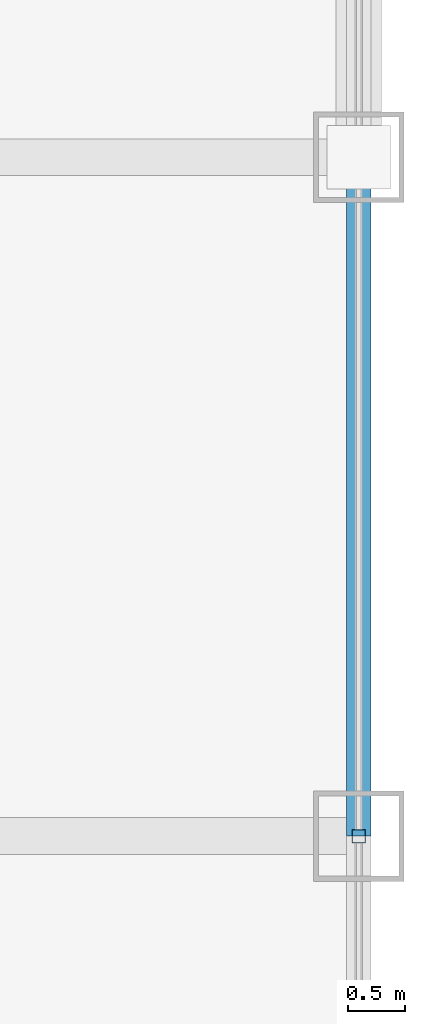
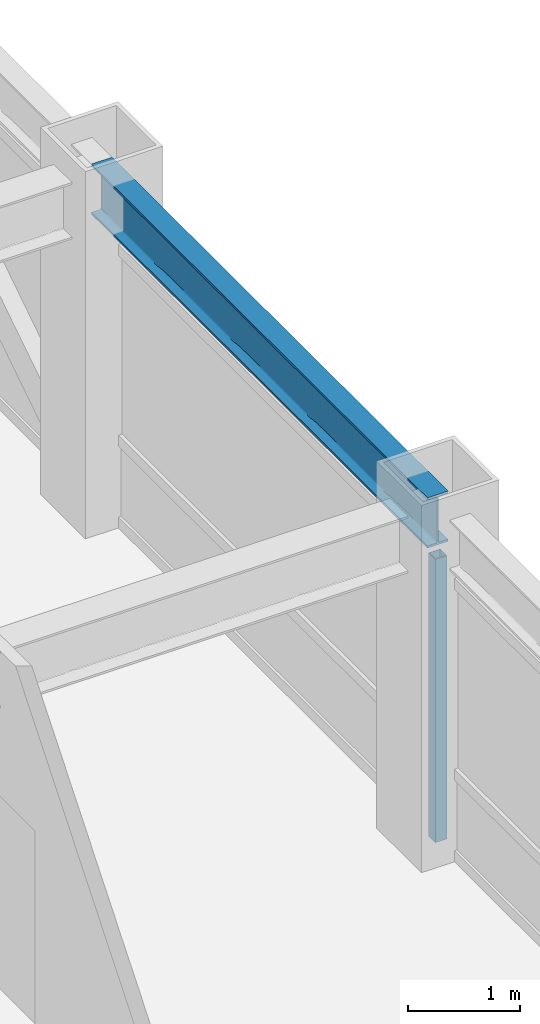
# One storey, part 12 of 28: 1 beam, 1 member, 1 element without a shape of its own.
"""IFC4 building model written with IfcOpenShell, lengths in metres."""

import ifcopenshell
import ifcopenshell.guid

model = None  # the IFC model being written
_history = None  # IfcOwnerHistory: only IFC2X3 demands one
_inside = {}  # id of a spatial element -> (the spatial element, [elements in it])
_under = {}  # id of a project, library or spatial element -> (it, [spatial elements below it])
_declared = {}  # id of a project -> (the project, [libraries it declares])
_typed = {}  # id of a type object -> (the type object, [elements of that type])
_made_of = {}  # id of a material, layer set ... -> (it, [elements and type objects made of it])


def new_model(schema):
    """Start an empty IFC model of exactly this schema.

    Asked for "IFC4X3", IfcOpenShell would pick the latest addendum, in which some entities
    have other attributes; the version numbers below select the first issue.
    IFC2X3 requires an IfcOwnerHistory on every rooted entity: one is made here for all.
    """
    global model, _history
    if schema == "IFC4X3":
        model = ifcopenshell.file(schema_version=(4, 3, 0, 0))
    else:
        model = ifcopenshell.file(schema=schema)
    _inside.clear()
    _under.clear()
    _declared.clear()
    _typed.clear()
    _made_of.clear()
    _history = None
    if model.schema == "IFC2X3":
        org = make("IfcOrganization", Name="unknown")
        user = make(
            "IfcPersonAndOrganization",
            ThePerson=make("IfcPerson", FamilyName="unknown"),
            TheOrganization=org,
        )
        app = make(
            "IfcApplication",
            ApplicationDeveloper=org,
            Version="unknown",
            ApplicationFullName="unknown",
            ApplicationIdentifier="unknown",
        )
        _history = make(
            "IfcOwnerHistory",
            OwningUser=user,
            OwningApplication=app,
            ChangeAction="ADDED",
            CreationDate=0,
        )
    return model


def make(cls, **values):
    """One entity of the class cls with the attributes given. An attribute that is None is left unset."""
    return model.create_entity(
        cls, **{name: value for name, value in values.items() if value is not None}
    )


def rooted(cls, **values):
    """An entity with a GlobalId (a new one), such as an element, a storey or a relation."""
    return make(cls, GlobalId=ifcopenshell.guid.new(), OwnerHistory=_history, **values)


def si_unit(unit_type, name, prefix=None):
    """IfcSIUnit, for example si_unit("LENGTHUNIT", "METRE", prefix="MILLI")."""
    return make("IfcSIUnit", UnitType=unit_type, Prefix=prefix, Name=name)


def assignment(units):
    """IfcUnitAssignment: the units of a project."""
    return None if units is None else make("IfcUnitAssignment", Units=units)


def point(xyz):
    """IfcCartesianPoint."""
    return None if xyz is None else make("IfcCartesianPoint", Coordinates=xyz)


def direction(xyz):
    """IfcDirection."""
    return None if xyz is None else make("IfcDirection", DirectionRatios=xyz)


def frame(location, z_axis=None, x_axis=None):
    """IfcAxis2Placement3D, a coordinate frame: its origin and axes. An axis left out is left unset."""
    return make(
        "IfcAxis2Placement3D",
        Location=point(location),
        Axis=direction(z_axis),
        RefDirection=direction(x_axis),
    )


def frame_2d(location, x_axis=None):
    """IfcAxis2Placement2D, a coordinate frame in the plane: its origin and x axis."""
    return make(
        "IfcAxis2Placement2D", Location=point(location), RefDirection=direction(x_axis)
    )


def origin():
    """The frame at (0, 0, 0) with its axes left unset."""
    return frame((0.0, 0.0, 0.0))


def origin_2d():
    """The frame at (0, 0) in the plane with its x axis left unset."""
    return frame_2d((0.0, 0.0))


def place(relative_to, where):
    """IfcLocalPlacement: puts the frame where relative to a parent placement (None: the world)."""
    return make(
        "IfcLocalPlacement", PlacementRelTo=relative_to, RelativePlacement=where
    )


def context(
    kind, dimensions, precision=None, world=None, true_north=None, identifier=None
):
    """IfcGeometricRepresentationContext, for example the 3D "Model" context."""
    return make(
        "IfcGeometricRepresentationContext",
        ContextIdentifier=identifier,
        ContextType=kind,
        CoordinateSpaceDimension=dimensions,
        Precision=precision,
        WorldCoordinateSystem=world,
        TrueNorth=true_north,
    )


def subcontext(parent, identifier, kind, view, scale=None):
    """IfcGeometricRepresentationSubContext, for example "Body" below "Model"."""
    return make(
        "IfcGeometricRepresentationSubContext",
        ContextIdentifier=identifier,
        ContextType=kind,
        ParentContext=parent,
        TargetScale=scale,
        TargetView=view,
    )


def project(units=None, contexts=None):
    """IfcProject with its units and contexts."""
    return rooted(
        "IfcProject",
        Name="project",
        RepresentationContexts=contexts,
        UnitsInContext=assignment(units),
    )


def spatial(cls, under=None, at=None, **own):
    """A site, building, storey or space (cls), placed at a placement, below another one or the project."""
    s = rooted(cls, ObjectPlacement=at, **own)
    if under is not None:
        _under.setdefault(under.id(), (under, []))[1].append(s)
    return s


def profile(cls, at=None, kind="AREA", **sizes):
    """A parametric profile (cls). Its sizes go by their IFC names, for example OverallWidth=200.0."""
    return make(cls, ProfileType=kind, Position=at, **sizes)


def hollow_rectangle(**sizes):
    """IfcRectangleHollowProfileDef."""
    return profile("IfcRectangleHollowProfileDef", **sizes)


def i_section(**sizes):
    """IfcIShapeProfileDef."""
    return profile("IfcIShapeProfileDef", **sizes)


def extrude(swept, where, along, depth):
    """IfcExtrudedAreaSolid: the profile swept, set in the frame where, extruded along a direction by depth."""
    return make(
        "IfcExtrudedAreaSolid",
        SweptArea=swept,
        Position=where,
        ExtrudedDirection=direction(along),
        Depth=depth,
    )


def shape(context_of_items, identifier, shape_type, items):
    """IfcShapeRepresentation: the items that make up one representation, for example the "Body"."""
    return make(
        "IfcShapeRepresentation",
        ContextOfItems=context_of_items,
        RepresentationIdentifier=identifier,
        RepresentationType=shape_type,
        Items=items,
    )


def source(mapping_origin, context_of_items, identifier, shape_type, items):
    """IfcRepresentationMap: a shape defined once, which mapped items show again and again."""
    return make(
        "IfcRepresentationMap",
        MappingOrigin=mapping_origin,
        MappedRepresentation=shape(context_of_items, identifier, shape_type, items),
    )


def transform(
    local_origin,
    x_axis=None,
    y_axis=None,
    z_axis=None,
    scale=None,
    scale2=None,
    scale3=None,
    uniform=True,
):
    """IfcCartesianTransformationOperator3D, or its non-uniform kind. x_axis, y_axis, z_axis: its Axis1, 2, 3."""
    if uniform:
        return make(
            "IfcCartesianTransformationOperator3D",
            Axis1=direction(x_axis),
            Axis2=direction(y_axis),
            LocalOrigin=point(local_origin),
            Scale=scale,
            Axis3=direction(z_axis),
        )
    return make(
        "IfcCartesianTransformationOperator3DnonUniform",
        Axis1=direction(x_axis),
        Axis2=direction(y_axis),
        LocalOrigin=point(local_origin),
        Scale=scale,
        Axis3=direction(z_axis),
        Scale2=scale2,
        Scale3=scale3,
    )


def mapped(mapping_source, mapping_target):
    """IfcMappedItem: shows the shape of a source again, moved by a transform."""
    return make(
        "IfcMappedItem", MappingSource=mapping_source, MappingTarget=mapping_target
    )


def material(Name=None, Category=None):
    """IfcMaterial."""
    return make("IfcMaterial", Name=Name, Category=Category)


def material_profile(
    of_material, cross_section, Name=None, Category=None, Priority=None
):
    """IfcMaterialProfile: a cross section and its material."""
    return make(
        "IfcMaterialProfile",
        Name=Name,
        Material=of_material,
        Profile=cross_section,
        Priority=Priority,
        Category=Category,
    )


def profile_set(profiles, Name=None, composite=None):
    """IfcMaterialProfileSet."""
    return make(
        "IfcMaterialProfileSet",
        Name=Name,
        MaterialProfiles=profiles,
        CompositeProfile=composite,
    )


def made_of(thing, what):
    """Note that an element or type object is made of a material, layer set ...; save() writes the relation."""
    if what is not None:
        _made_of.setdefault(what.id(), (what, []))[1].append(thing)
    return thing


def type_object(cls, material=None, **own):
    """A type object (cls), such as IfcWallType, which elements share."""
    return made_of(rooted(cls, **own), material)


def element(
    cls,
    number,
    at=None,
    inside=None,
    cuts=None,
    type_object=None,
    material=None,
    context=None,
    identifier="Body",
    shape_type=None,
    held_by="IfcProductDefinitionShape",
    body=None,
    shapes=None,
    **own,
):
    """One element of the class cls, such as IfcWall. Its Tag is "e" and its number.

    at: its placement. inside: the storey or other place that contains it. cuts: it is an
    opening in that element (IfcRelVoidsElement). A single representation is given by context,
    identifier, shape_type and body (its items); several are given by shapes. held_by: the class
    of the entity that holds the representations. save() writes the other relations.
    """
    e = rooted(cls, Tag="e%d" % number, ObjectPlacement=at, **own)
    if body is not None:
        shapes = [shape(context, identifier, shape_type, body)]
    if shapes is not None:
        e.Representation = make(held_by, Representations=shapes)
    if inside is not None:
        _inside.setdefault(inside.id(), (inside, []))[1].append(e)
    if cuts is not None:
        rooted(
            "IfcRelVoidsElement", RelatingBuildingElement=cuts, RelatedOpeningElement=e
        )
    if type_object is not None:
        _typed.setdefault(type_object.id(), (type_object, []))[1].append(e)
    return made_of(e, material)


def aggregate(whole, parts):
    """IfcRelAggregates: a whole, such as a stair, and the parts it consists of."""
    return rooted("IfcRelAggregates", RelatingObject=whole, RelatedObjects=parts)


def save(model, path):
    """Write the relations noted so far, then the file.

    IfcRelAggregates (storeys below a building ...), IfcRelContainedInSpatialStructure (elements
    in a storey), IfcRelDefinesByType, IfcRelAssociatesMaterial and IfcRelDeclares: one each for
    every whole, place, type object, material and project.
    """
    for whole, parts in _under.values():
        aggregate(whole, parts)
    for where, things in _inside.values():
        rooted(
            "IfcRelContainedInSpatialStructure",
            RelatedElements=things,
            RelatingStructure=where,
        )
    for kind, things in _typed.values():
        rooted("IfcRelDefinesByType", RelatedObjects=things, RelatingType=kind)
    for what, things in _made_of.values():
        rooted("IfcRelAssociatesMaterial", RelatedObjects=things, RelatingMaterial=what)
    for by, libraries in _declared.values():
        rooted("IfcRelDeclares", RelatingContext=by, RelatedDefinitions=libraries)
    model.write(path)


model = new_model("IFC4")

# Units and contexts
model_context = context("Model", 3, precision=1e-05, world=origin(), true_north=direction((0.0, 1.0)))
body_context = subcontext(model_context, "Body", "Model", "MODEL_VIEW")
ifc_project = project(units=[si_unit("LENGTHUNIT", "METRE"), si_unit("AREAUNIT", "SQUARE_METRE"), si_unit("VOLUMEUNIT", "CUBIC_METRE"), si_unit("PLANEANGLEUNIT", "RADIAN"), si_unit("MASSUNIT", "GRAM", prefix="KILO")], contexts=[model_context])

# Site, building, storey
site_placement = place(None, origin())
site = spatial("IfcSite", under=ifc_project, at=site_placement, CompositionType="ELEMENT")
building_placement = place(site_placement, origin())
building = spatial("IfcBuilding", under=site, at=building_placement, Name="Khorayat Bourse Tower", CompositionType="ELEMENT")
storey_placement = place(building_placement, frame((0.0, 0.0, 330.300048828125)))
storey = spatial("IfcBuildingStorey", under=building, at=storey_placement, Name="L78", CompositionType="ELEMENT", Elevation=330.300048828125)

# Beam
ifc_material_1 = material(Name="Steel ASTM A992 Grade 50", Category="steel")
ifc_material_profile_1 = material_profile(ifc_material_1, i_section(OverallWidth=0.214111328125, OverallDepth=0.549072265625, WebThickness=0.0146484375, FlangeThickness=0.023681640625, FilletRadius=0.013916015625, at=origin_2d()), Name="W530X138")
ifc_profile_set_1 = profile_set([ifc_material_profile_1], Name="Steel ASTM A992 Grade 50")
beam_type = type_object("IfcBeamType", Name="BM-SPAN-530", PredefinedType="SPANDREL", material=ifc_profile_set_1)
shared_shape_1 = source(origin(), body_context, "Body", "SweptSolid", [
    extrude(i_section(OverallWidth=0.214111328125, OverallDepth=0.549072265625, WebThickness=0.0146484375, FlangeThickness=0.023681640625, FilletRadius=0.013916015625, at=origin_2d()), origin(), (0.0, 0.0, 1.0), 6.0),
])
beam_placement = place(storey_placement, frame((26.0, 0.0, 3.46533203125), z_axis=(0.0, 1.0, 0.0), x_axis=(-1.0, 0.0, 0.0)))
element("IfcBeam", 1, at=beam_placement, inside=storey, type_object=beam_type, Name="L78 BM-SPAN-530 BM-L78-SPN-035", PredefinedType="SPANDREL", context=body_context, shape_type="MappedRepresentation", body=[
    mapped(shared_shape_1, transform((0.0, 0.0, 0.0), scale=1.0)),
])

# Curtain wall, member
ifc_material_2 = material(Name="Aluminium EN AW-6063 T6", Category="aluminium")
curtain_wall_type = type_object("IfcCurtainWallType", Name="CW-SYS-04", PredefinedType="NOTDEFINED", material=ifc_material_2)
curtain_wall_placement = place(storey_placement, origin())
curtain_wall = element("IfcCurtainWall", 2, at=curtain_wall_placement, inside=storey, type_object=curtain_wall_type, Name="L78 Curtain Wall CW-L78-E1", PredefinedType="NOTDEFINED")
ifc_material_profile_2 = material_profile(ifc_material_2, hollow_rectangle(XDim=0.1201171875, YDim=0.1201171875, WallThickness=0.0048828125, at=origin_2d()), Name="ALU 120x120x5")
ifc_profile_set_2 = profile_set([ifc_material_profile_2], Name="Aluminium EN AW-6063 T6")
member_type = type_object("IfcMemberType", Name="CWM-VERT-120", PredefinedType="MULLION", material=ifc_profile_set_2)
shared_shape_2 = source(origin(), body_context, "Body", "SweptSolid", [
    extrude(hollow_rectangle(XDim=0.1201171875, YDim=0.1201171875, WallThickness=0.0048828125, at=origin_2d()), origin(), (0.0, 0.0, 1.0), 3.08984375),
])
member_placement = place(storey_placement, frame((26.0, 0.0, 0.0), z_axis=(0.0, 0.0, 1.0), x_axis=(-1.0, 0.0, 0.0)))
member = element("IfcMember", 3, at=member_placement, type_object=member_type, Name="CW-L78-E1 Vertical Mullion 2", PredefinedType="MULLION", context=body_context, shape_type="MappedRepresentation", body=[
    mapped(shared_shape_2, transform((0.0, 0.0, 0.0), scale=1.0)),
])
aggregate(curtain_wall, [member])

save(model, "model.ifc")
